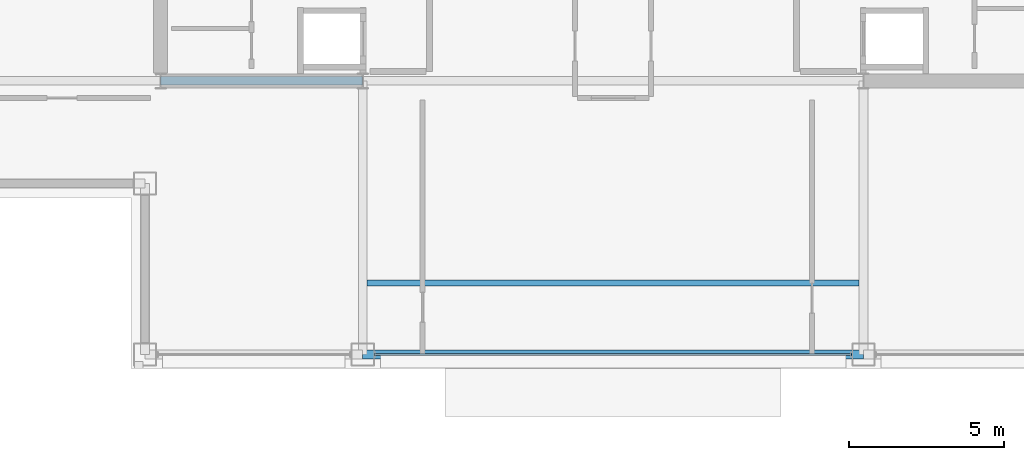
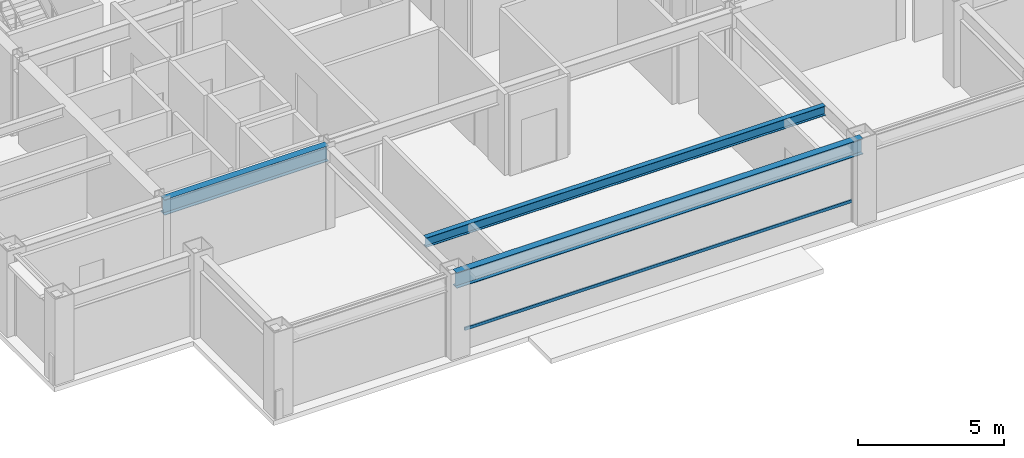
# One storey, part 5 of 26: 3 beams, 1 member, 1 element without a shape of its own.
"""IFC4 building model written with IfcOpenShell, lengths in metres."""

from ifc_helpers import new_model, si_unit, direction, frame, origin, origin_2d, place, context, subcontext, project, spatial, hollow_rectangle, i_section, extrude, material, layer, layer_set, material_profile, profile_set, type_object, element, aggregate, save


model = new_model("IFC4")

# Units and contexts
model_context = context("Model", 3, precision=1e-05, world=origin(), true_north=direction((0.0, 1.0)))
body_context = subcontext(model_context, "Body", "Model", "MODEL_VIEW")
ifc_project = project(units=[si_unit("LENGTHUNIT", "METRE"), si_unit("AREAUNIT", "SQUARE_METRE"), si_unit("VOLUMEUNIT", "CUBIC_METRE"), si_unit("PLANEANGLEUNIT", "RADIAN"), si_unit("MASSUNIT", "GRAM", prefix="KILO")], contexts=[model_context])

# Site, building, storey
site_placement = place(None, origin())
site = spatial("IfcSite", under=ifc_project, at=site_placement, CompositionType="ELEMENT")
building_placement = place(site_placement, origin())
building = spatial("IfcBuilding", under=site, at=building_placement, Name="Brelmoor Portico Tower", CompositionType="ELEMENT")
storey_placement = place(building_placement, frame((0.0, 0.0, 180.300048828125)))
storey = spatial("IfcBuildingStorey", under=building, at=storey_placement, Name="L47", CompositionType="ELEMENT", Elevation=180.300048828125)

# Beams
ifc_material_1 = material(Name="Steel Q355B", Category="steel")
ifc_material_profile_1 = material_profile(ifc_material_1, i_section(OverallWidth=0.199951171875, OverallDepth=0.39990234375, WebThickness=0.008056640625, FlangeThickness=0.012939453125, at=origin_2d()), Name="HN 400x200x8x13")
ifc_profile_set_1 = profile_set([ifc_material_profile_1], Name="Steel Q355B")
beam_type_1 = type_object("IfcBeamType", Name="BM-JS-400", PredefinedType="JOIST", material=ifc_profile_set_1)
beam_1_placement = place(storey_placement, frame((-7.909912109375, -16.25, 3.199951171875), z_axis=(1.0, 0.0, 0.0), x_axis=(0.0, 1.0, 0.0)))
element("IfcBeam", 1, at=beam_1_placement, inside=storey, type_object=beam_type_1, Name="L47 Secondary Composite Joist JS-C01", PredefinedType="JOIST", context=body_context, shape_type="SweptSolid", body=[
    extrude(i_section(OverallWidth=0.199951171875, OverallDepth=0.39990234375, WebThickness=0.008056640625, FlangeThickness=0.012939453125, at=origin_2d()), origin(), (0.0, 0.0, 1.0), 15.81982421875),
])
ifc_material_profile_2 = material_profile(ifc_material_1, i_section(OverallWidth=0.280029296875, OverallDepth=0.64990234375, WebThickness=0.012939453125, FlangeThickness=0.02197265625, at=origin_2d()), Name="HN 650x280x13x22")
ifc_profile_set_2 = profile_set([ifc_material_profile_2], Name="Steel Q355B")
beam_type_2 = type_object("IfcBeamType", Name="BM-PG-650", PredefinedType="BEAM", material=ifc_profile_set_2)
beam_2_placement = place(storey_placement, frame((-14.550048828125, -9.75, 3.074951171875), z_axis=(1.0, 0.0, 0.0), x_axis=(0.0, 1.0, 0.0)))
element("IfcBeam", 2, at=beam_2_placement, inside=storey, type_object=beam_type_2, Name="L47 Primary Floor Girder PG-12", PredefinedType="BEAM", context=body_context, shape_type="SweptSolid", body=[
    extrude(i_section(OverallWidth=0.280029296875, OverallDepth=0.64990234375, WebThickness=0.012939453125, FlangeThickness=0.02197265625, at=origin_2d()), origin(), (0.0, 0.0, 1.0), 6.5),
])
ifc_material_profile_3 = material_profile(ifc_material_1, i_section(OverallWidth=0.280029296875, OverallDepth=0.64990234375, WebThickness=0.012939453125, FlangeThickness=0.02197265625, at=origin_2d()), Name="HN 650x280x13x22")
ifc_profile_set_3 = profile_set([ifc_material_profile_3], Name="Steel Q355B")
beam_type_3 = type_object("IfcBeamType", Name="BM-SP-650", PredefinedType="SPANDREL", material=ifc_profile_set_3)
beam_3_placement = place(storey_placement, frame((-8.050048828125, -18.550048828125, 3.074951171875), z_axis=(1.0, 0.0, 0.0), x_axis=(0.0, 1.0, 0.0)))
element("IfcBeam", 3, at=beam_3_placement, inside=storey, type_object=beam_type_3, Name="L47 Perimeter Spandrel Beam SP-02", PredefinedType="SPANDREL", context=body_context, shape_type="SweptSolid", body=[
    extrude(i_section(OverallWidth=0.280029296875, OverallDepth=0.64990234375, WebThickness=0.012939453125, FlangeThickness=0.02197265625, at=origin_2d()), origin(), (0.0, 0.0, 1.0), 16.10009765625),
])

# Curtain wall, member
ifc_material_2 = material(Name="Anodised Aluminium Alloy 6063-T6", Category="aluminium")
ifc_layer = layer(ifc_material_2, 0.179931640625)
ifc_layer_set = layer_set([ifc_layer], Name="Anodised Aluminium Alloy 6063-T6")
curtain_wall_type = type_object("IfcCurtainWallType", Name="CW-TOWER-Z3", PredefinedType="NOTDEFINED", material=ifc_layer_set)
curtain_wall_placement = place(storey_placement, origin())
curtain_wall = element("IfcCurtainWall", 4, at=curtain_wall_placement, inside=storey, type_object=curtain_wall_type, Name="L47 Curtain Wall CW-L47-01-2", PredefinedType="NOTDEFINED")
ifc_material_profile_4 = material_profile(ifc_material_2, hollow_rectangle(XDim=0.06005859375, YDim=0.125, WallThickness=0.00341796875, at=origin_2d()), Name="ALU TRANSOM 60x125")
ifc_profile_set_4 = profile_set([ifc_material_profile_4], Name="Anodised Aluminium Alloy 6063-T6")
member_type = type_object("IfcMemberType", Name="MB-CW-TRAN-125", PredefinedType="USERDEFINED", material=ifc_profile_set_4)
member_placement = place(storey_placement, frame((-7.6650390625, -18.550048828125, 0.849853515625), z_axis=(1.0, 0.0, 0.0), x_axis=(0.0, 1.0, 0.0)))
member = element("IfcMember", 5, at=member_placement, type_object=member_type, Name="CW-L47-01-2 Transom 1-00", ObjectType="TRANSOM", PredefinedType="USERDEFINED", context=body_context, shape_type="SweptSolid", body=[
    extrude(hollow_rectangle(XDim=0.06005859375, YDim=0.125, WallThickness=0.00341796875, at=origin_2d()), origin(), (0.0, 0.0, 1.0), 15.330078125),
])
aggregate(curtain_wall, [member])

save(model, "model.ifc")
